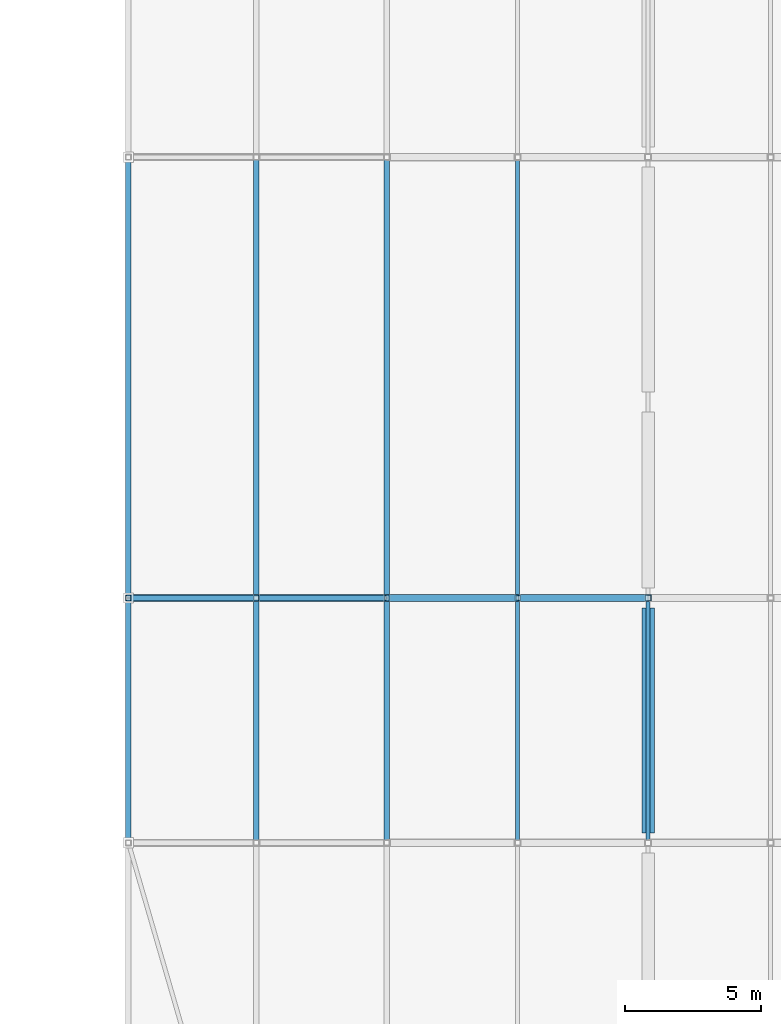
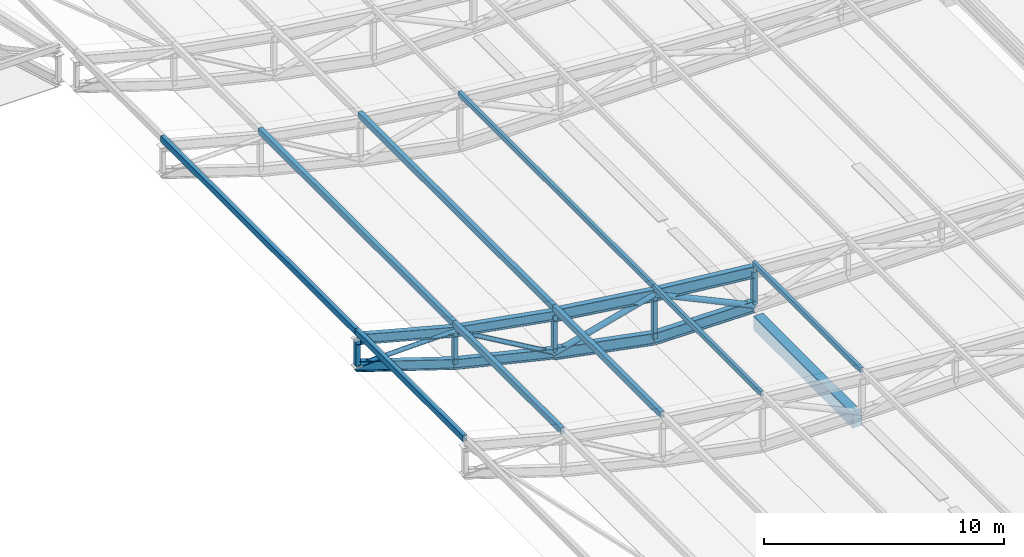
# One storey, part 56 of 114: 18 members, 9 beams.
"""IFC4 building model written with IfcOpenShell, lengths in metres."""

from ifc_helpers import new_model, si_unit, direction, frame, origin, origin_2d, place, context, subcontext, project, spatial, rectangle, hollow_rectangle, hollow_circle, i_section, extrude, material, material_profile, profile_set, type_object, element, save


model = new_model("IFC4")

# Units and contexts
model_context = context("Model", 3, precision=1e-05, world=origin(), true_north=direction((0.0, 1.0)))
body_context = subcontext(model_context, "Body", "Model", "MODEL_VIEW")
ifc_project = project(units=[si_unit("LENGTHUNIT", "METRE"), si_unit("AREAUNIT", "SQUARE_METRE"), si_unit("VOLUMEUNIT", "CUBIC_METRE"), si_unit("PLANEANGLEUNIT", "RADIAN"), si_unit("MASSUNIT", "GRAM", prefix="KILO"), si_unit("THERMODYNAMICTEMPERATUREUNIT", "KELVIN"), si_unit("POWERUNIT", "WATT")], contexts=[model_context])

# Site, building, storey
site_placement = place(None, origin())
site = spatial("IfcSite", under=ifc_project, at=site_placement, CompositionType="ELEMENT")
building_placement = place(site_placement, origin())
building = spatial("IfcBuilding", under=site, at=building_placement, Name="Sindhuravela Promenade Stadium", CompositionType="ELEMENT")
storey_placement = place(building_placement, frame((0.0, 0.0, 24.0)))
storey = spatial("IfcBuildingStorey", under=building, at=storey_placement, Name="L05", CompositionType="ELEMENT", Elevation=24.0)

# Beams
ifc_material_1 = material(Name="Concrete M40", Category="concrete")
ifc_material_profile_1 = material_profile(ifc_material_1, rectangle(XDim=0.449951171875, YDim=0.699951171875, at=origin_2d()), Name="RC 450x700")
ifc_profile_set_1 = profile_set([ifc_material_profile_1], Name="Concrete M40")
beam_type_1 = type_object("IfcBeamType", Name="RC-BM-450x700", PredefinedType="BEAM", material=ifc_profile_set_1)
beam_1_placement = place(storey_placement, frame((180.0, 84.965087890625, -0.594970703125), z_axis=(0.0, 1.0, 0.0), x_axis=(-1.0, 0.0, 0.0)))
element("IfcBeam", 1, at=beam_1_placement, inside=storey, type_object=beam_type_1, Name="Primary beam GB07 EAST L05", PredefinedType="BEAM", context=body_context, shape_type="SweptSolid", body=[
    extrude(rectangle(XDim=0.449951171875, YDim=0.699951171875, at=origin_2d()), origin(), (0.0, 0.0, 1.0), 8.27001953125),
])
ifc_material_2 = material(Name="Steel E350 (IS 2062 E350BR)", Category="steel")
ifc_material_profile_2 = material_profile(ifc_material_2, i_section(OverallWidth=0.25, OverallDepth=0.5, WebThickness=0.010009765625, FlangeThickness=0.0146484375, FilletRadius=0.014892578125, at=origin_2d()), Name="ISWB 500")
ifc_profile_set_2 = profile_set([ifc_material_profile_2], Name="Steel E350 (IS 2062 E350BR)")
beam_type_2 = type_object("IfcBeamType", Name="ST-BM-WB500", PredefinedType="USERDEFINED", material=ifc_profile_set_2)
beam_2_placement = place(storey_placement, frame((170.39990234375, 93.60009765625, 2.889892578125), z_axis=(-0.9842948598662152, 0.0, 0.17653223173388988), x_axis=(0.0, -1.0, 0.0)))
element("IfcBeam", 2, at=beam_2_placement, inside=storey, type_object=beam_type_2, Name="Roof truss RT-E06 top chord 7", ObjectType="ROOF TRUSS", PredefinedType="USERDEFINED", context=body_context, shape_type="SweptSolid", body=[
    extrude(i_section(OverallWidth=0.25, OverallDepth=0.5, WebThickness=0.010009765625, FlangeThickness=0.0146484375, FilletRadius=0.014892578125, at=origin_2d()), origin(), (0.0, 0.0, 1.0), 4.87646484375),
])
beam_3_placement = place(storey_placement, frame((170.39990234375, 93.60009765625, 0.955322265625), z_axis=(-0.9727610703429832, 0.0, 0.23181005160513105), x_axis=(0.0, -1.0, 0.0)))
element("IfcBeam", 3, at=beam_3_placement, inside=storey, type_object=beam_type_2, Name="Roof truss RT-E06 bottom chord 7", ObjectType="ROOF TRUSS", PredefinedType="USERDEFINED", context=body_context, shape_type="SweptSolid", body=[
    extrude(i_section(OverallWidth=0.25, OverallDepth=0.5, WebThickness=0.010009765625, FlangeThickness=0.0146484375, FilletRadius=0.014892578125, at=origin_2d()), origin(), (0.0, 0.0, 1.0), 4.934326171875),
])
beam_4_placement = place(storey_placement, frame((165.60009765625, 93.60009765625, 3.750732421875), z_axis=(-0.9664454134987205, 0.0, 0.2568720746349965), x_axis=(0.0, -1.0, 0.0)))
element("IfcBeam", 4, at=beam_4_placement, inside=storey, type_object=beam_type_2, Name="Roof truss RT-E06 top chord 8", ObjectType="ROOF TRUSS", PredefinedType="USERDEFINED", context=body_context, shape_type="SweptSolid", body=[
    extrude(i_section(OverallWidth=0.25, OverallDepth=0.5, WebThickness=0.010009765625, FlangeThickness=0.0146484375, FilletRadius=0.014892578125, at=origin_2d()), origin(), (0.0, 0.0, 1.0), 4.86328125),
])
beam_5_placement = place(storey_placement, frame((165.60009765625, 93.60009765625, 2.09912109375), z_axis=(-0.951134224020653, 0.0, 0.3087777321903741), x_axis=(0.0, -1.0, 0.0)))
element("IfcBeam", 5, at=beam_5_placement, inside=storey, type_object=beam_type_2, Name="Roof truss RT-E06 bottom chord 8", ObjectType="ROOF TRUSS", PredefinedType="USERDEFINED", context=body_context, shape_type="SweptSolid", body=[
    extrude(i_section(OverallWidth=0.25, OverallDepth=0.5, WebThickness=0.010009765625, FlangeThickness=0.0146484375, FilletRadius=0.014892578125, at=origin_2d()), origin(), (0.0, 0.0, 1.0), 4.941650390625),
])
ifc_material_profile_3 = material_profile(ifc_material_2, i_section(OverallWidth=0.25, OverallDepth=0.60009765625, WebThickness=0.01171875, FlangeThickness=0.023681640625, FilletRadius=0.01708984375, at=origin_2d()), Name="ISWB 600")
ifc_profile_set_3 = profile_set([ifc_material_profile_3], Name="Steel E350 (IS 2062 E350BR)")
beam_type_3 = type_object("IfcBeamType", Name="ST-BM-WB600", PredefinedType="USERDEFINED", material=ifc_profile_set_3)
beam_6_placement = place(storey_placement, frame((180.0, 93.60009765625, 1.7578125), z_axis=(-0.9947943351162852, 0.0, 0.10190304617894301), x_axis=(0.0, -1.0, 0.0)))
element("IfcBeam", 6, at=beam_6_placement, inside=storey, type_object=beam_type_3, Name="Roof truss RT-E06 top chord 5", ObjectType="ROOF TRUSS", PredefinedType="USERDEFINED", context=body_context, shape_type="SweptSolid", body=[
    extrude(i_section(OverallWidth=0.25, OverallDepth=0.60009765625, WebThickness=0.01171875, FlangeThickness=0.023681640625, FilletRadius=0.01708984375, at=origin_2d()), origin(), (0.0, 0.0, 1.0), 4.8251953125),
])
beam_7_placement = place(storey_placement, frame((180.0, 93.60009765625, 0.0), z_axis=(-0.9999778033758007, 0.0, 0.006662788883690041), x_axis=(0.0, -1.0, 0.0)))
element("IfcBeam", 7, at=beam_7_placement, inside=storey, type_object=beam_type_3, Name="Roof truss RT-E06 bottom chord 5", ObjectType="ROOF TRUSS", PredefinedType="USERDEFINED", context=body_context, shape_type="SweptSolid", body=[
    extrude(i_section(OverallWidth=0.25, OverallDepth=0.60009765625, WebThickness=0.01171875, FlangeThickness=0.023681640625, FilletRadius=0.01708984375, at=origin_2d()), origin(), (0.0, 0.0, 1.0), 4.800048828125),
])
beam_8_placement = place(storey_placement, frame((175.199951171875, 93.60009765625, 2.24951171875), z_axis=(-0.9912177706556925, 0.0, 0.1322396730802035), x_axis=(0.0, -1.0, 0.0)))
element("IfcBeam", 8, at=beam_8_placement, inside=storey, type_object=beam_type_3, Name="Roof truss RT-E06 top chord 6", ObjectType="ROOF TRUSS", PredefinedType="USERDEFINED", context=body_context, shape_type="SweptSolid", body=[
    extrude(i_section(OverallWidth=0.25, OverallDepth=0.60009765625, WebThickness=0.01171875, FlangeThickness=0.023681640625, FilletRadius=0.01708984375, at=origin_2d()), origin(), (0.0, 0.0, 1.0), 4.842529296875),
])
beam_9_placement = place(storey_placement, frame((175.199951171875, 93.60009765625, 0.031982421875), z_axis=(-0.9819968269215247, 0.0, 0.18889741108881575), x_axis=(0.0, -1.0, 0.0)))
element("IfcBeam", 9, at=beam_9_placement, inside=storey, type_object=beam_type_3, Name="Roof truss RT-E06 bottom chord 6", ObjectType="ROOF TRUSS", PredefinedType="USERDEFINED", context=body_context, shape_type="SweptSolid", body=[
    extrude(i_section(OverallWidth=0.25, OverallDepth=0.60009765625, WebThickness=0.01171875, FlangeThickness=0.023681640625, FilletRadius=0.01708984375, at=origin_2d()), origin(), (0.0, 0.0, 1.0), 4.887939453125),
])

# Members
ifc_material_profile_4 = material_profile(ifc_material_2, hollow_circle(Radius=0.109619140625, WallThickness=0.010009765625, at=origin_2d()), Name="CHS 219.1x10")
ifc_profile_set_4 = profile_set([ifc_material_profile_4], Name="Steel E350 (IS 2062 E350BR)")
member_type_1 = type_object("IfcMemberType", Name="ST-MB-CHS219", PredefinedType="BRACE", material=ifc_profile_set_4)
member_1_placement = place(storey_placement, frame((170.39990234375, 93.60009765625, 0.955322265625), z_axis=(-0.8641294101630913, 0.0, 0.5032696717379143), x_axis=(0.0, -1.0, 0.0)))
element("IfcMember", 10, at=member_1_placement, inside=storey, type_object=member_type_1, Name="Roof truss RT-E06 diagonal web 7", PredefinedType="BRACE", context=body_context, shape_type="SweptSolid", body=[
    extrude(hollow_circle(Radius=0.109619140625, WallThickness=0.010009765625, at=origin_2d()), origin(), (0.0, 0.0, 1.0), 5.554443359375),
])
member_2_placement = place(storey_placement, frame((165.60009765625, 93.60009765625, 3.750732421875), z_axis=(-0.9996423981548164, 0.0, -0.02674090146736601), x_axis=(0.0, -1.0, 0.0)))
element("IfcMember", 11, at=member_2_placement, inside=storey, type_object=member_type_1, Name="Roof truss RT-E06 diagonal web 8", PredefinedType="BRACE", context=body_context, shape_type="SweptSolid", body=[
    extrude(hollow_circle(Radius=0.109619140625, WallThickness=0.010009765625, at=origin_2d()), origin(), (0.0, 0.0, 1.0), 4.701904296875),
])
ifc_material_profile_5 = material_profile(ifc_material_2, hollow_circle(Radius=0.136474609375, WallThickness=0.010009765625, at=origin_2d()), Name="CHS 273.0x10")
ifc_profile_set_5 = profile_set([ifc_material_profile_5], Name="Steel E350 (IS 2062 E350BR)")
member_type_2 = type_object("IfcMemberType", Name="ST-MB-CHS273", PredefinedType="BRACE", material=ifc_profile_set_5)
member_3_placement = place(storey_placement, frame((180.0, 93.60009765625, 0.0), z_axis=(-0.9054959907272458, 0.0, 0.4243548170775059), x_axis=(0.0, -1.0, 0.0)))
element("IfcMember", 12, at=member_3_placement, inside=storey, type_object=member_type_2, Name="Roof truss RT-E06 diagonal web 5", PredefinedType="BRACE", context=body_context, shape_type="SweptSolid", body=[
    extrude(hollow_circle(Radius=0.136474609375, WallThickness=0.010009765625, at=origin_2d()), origin(), (0.0, 0.0, 1.0), 5.301025390625),
])
member_4_placement = place(storey_placement, frame((175.199951171875, 93.60009765625, 2.24951171875), z_axis=(-0.9655213389510635, 0.0, -0.26032392135596294), x_axis=(0.0, -1.0, 0.0)))
element("IfcMember", 13, at=member_4_placement, inside=storey, type_object=member_type_2, Name="Roof truss RT-E06 diagonal web 6", PredefinedType="BRACE", context=body_context, shape_type="SweptSolid", body=[
    extrude(hollow_circle(Radius=0.136474609375, WallThickness=0.010009765625, at=origin_2d()), origin(), (0.0, 0.0, 1.0), 4.971435546875),
])
ifc_material_profile_6 = material_profile(ifc_material_2, hollow_rectangle(XDim=0.14990234375, YDim=0.25, WallThickness=0.010009765625, at=origin_2d()), Name="RHS 250x150x10")
ifc_profile_set_6 = profile_set([ifc_material_profile_6], Name="Steel E350 (IS 2062 E350BR)")
member_type_3 = type_object("IfcMemberType", Name="ST-MB-RHS250", PredefinedType="PURLIN", material=ifc_profile_set_6)
for number, where, z_axis, x_axis, name in (
    (14, (180.0, 84.60009765625, 2.14990234375), (0.0, 1.0, 0.0), (-1.0, 0.0, 0.0), "Roof purlin PR01 E bay 5.5"),
    (15, (175.199951171875, 84.60009765625, 2.641357421875), (0.0, 1.0, 0.0), (-1.0, 0.0, 0.0), "Roof purlin PR01 E bay 5.6"),
):
    element("IfcMember", number, at=place(storey_placement, frame(where, z_axis=z_axis, x_axis=x_axis)), inside=storey, type_object=member_type_3, Name=name, PredefinedType="PURLIN", context=body_context, shape_type="SweptSolid", body=[
        extrude(hollow_rectangle(XDim=0.14990234375, YDim=0.25, WallThickness=0.010009765625, at=origin_2d()), origin(), (0.0, 0.0, 1.0), 9.0),
    ])
member_5_placement = place(storey_placement, frame((175.199951171875, 93.60009765625, 2.641357421875), z_axis=(0.0, 1.0, 0.0), x_axis=(-1.0, 0.0, 0.0)))
element("IfcMember", 16, at=member_5_placement, inside=storey, type_object=member_type_3, Name="Roof purlin PR01 E bay 6.6", PredefinedType="PURLIN", context=body_context, shape_type="SweptSolid", body=[
    extrude(hollow_rectangle(XDim=0.14990234375, YDim=0.25, WallThickness=0.010009765625, at=origin_2d()), origin(), (0.0, 0.0, 1.0), 16.199951171875),
])
ifc_material_profile_7 = material_profile(ifc_material_2, hollow_rectangle(XDim=0.199951171875, YDim=0.300048828125, WallThickness=0.010009765625, at=origin_2d()), Name="RHS 300x200x10")
ifc_profile_set_7 = profile_set([ifc_material_profile_7], Name="Steel E350 (IS 2062 E350BR)")
member_type_4 = type_object("IfcMemberType", Name="ST-MB-RHS300", PredefinedType="PURLIN", material=ifc_profile_set_7)
for number, where, z_axis, x_axis, name in (
    (17, (170.39990234375, 84.60009765625, 3.2568359375), (0.0, 1.0, 0.0), (-1.0, 0.0, 0.0), "Roof purlin PR02 E bay 5.7"),
    (18, (165.60009765625, 84.60009765625, 4.117919921875), (0.0, 1.0, 0.0), (-1.0, 0.0, 0.0), "Roof purlin PR02 E bay 5.8"),
    (19, (160.89990234375, 84.60009765625, 5.366943359375), (0.0, 1.0, 0.0), (-1.0, 0.0, 0.0), "Roof purlin PR02 E bay 5.9"),
):
    element("IfcMember", number, at=place(storey_placement, frame(where, z_axis=z_axis, x_axis=x_axis)), inside=storey, type_object=member_type_4, Name=name, PredefinedType="PURLIN", context=body_context, shape_type="SweptSolid", body=[
        extrude(hollow_rectangle(XDim=0.199951171875, YDim=0.300048828125, WallThickness=0.010009765625, at=origin_2d()), origin(), (0.0, 0.0, 1.0), 9.0),
    ])
for number, where, z_axis, x_axis, name in (
    (20, (170.39990234375, 93.60009765625, 3.2568359375), (0.0, 1.0, 0.0), (-1.0, 0.0, 0.0), "Roof purlin PR02 E bay 6.7"),
    (21, (165.60009765625, 93.60009765625, 4.117919921875), (0.0, 1.0, 0.0), (-1.0, 0.0, 0.0), "Roof purlin PR02 E bay 6.8"),
    (22, (160.89990234375, 93.60009765625, 5.366943359375), (0.0, 1.0, 0.0), (-1.0, 0.0, 0.0), "Roof purlin PR02 E bay 6.9"),
):
    element("IfcMember", number, at=place(storey_placement, frame(where, z_axis=z_axis, x_axis=x_axis)), inside=storey, type_object=member_type_4, Name=name, PredefinedType="PURLIN", context=body_context, shape_type="SweptSolid", body=[
        extrude(hollow_rectangle(XDim=0.199951171875, YDim=0.300048828125, WallThickness=0.010009765625, at=origin_2d()), origin(), (0.0, 0.0, 1.0), 16.199951171875),
    ])
ifc_material_profile_8 = material_profile(ifc_material_2, hollow_rectangle(XDim=0.199951171875, YDim=0.199951171875, WallThickness=0.010009765625, at=origin_2d()), Name="SHS 200x200x10")
ifc_profile_set_8 = profile_set([ifc_material_profile_8], Name="Steel E350 (IS 2062 E350BR)")
member_type_5 = type_object("IfcMemberType", Name="ST-MB-SHS200", PredefinedType="POST", material=ifc_profile_set_8)
member_6_placement = place(storey_placement, frame((175.199951171875, 93.60009765625, 0.031982421875), z_axis=(0.0, 0.0, 1.0), x_axis=(1.0, 0.0, 0.0)))
element("IfcMember", 23, at=member_6_placement, inside=storey, type_object=member_type_5, Name="Roof truss RT-E06 vertical post 6", PredefinedType="POST", context=body_context, shape_type="SweptSolid", body=[
    extrude(hollow_rectangle(XDim=0.199951171875, YDim=0.199951171875, WallThickness=0.010009765625, at=origin_2d()), origin(), (0.0, 0.0, 1.0), 2.217529296875),
])
member_7_placement = place(storey_placement, frame((170.39990234375, 93.60009765625, 0.955322265625), z_axis=(0.0, 0.0, 1.0), x_axis=(1.0, 0.0, 0.0)))
element("IfcMember", 24, at=member_7_placement, inside=storey, type_object=member_type_5, Name="Roof truss RT-E06 vertical post 7", PredefinedType="POST", context=body_context, shape_type="SweptSolid", body=[
    extrude(hollow_rectangle(XDim=0.199951171875, YDim=0.199951171875, WallThickness=0.010009765625, at=origin_2d()), origin(), (0.0, 0.0, 1.0), 1.9345703125),
])
member_8_placement = place(storey_placement, frame((165.60009765625, 93.60009765625, 2.09912109375), z_axis=(0.0, 0.0, 1.0), x_axis=(1.0, 0.0, 0.0)))
element("IfcMember", 25, at=member_8_placement, inside=storey, type_object=member_type_5, Name="Roof truss RT-E06 vertical post 8", PredefinedType="POST", context=body_context, shape_type="SweptSolid", body=[
    extrude(hollow_rectangle(XDim=0.199951171875, YDim=0.199951171875, WallThickness=0.010009765625, at=origin_2d()), origin(), (0.0, 0.0, 1.0), 1.651611328125),
])
member_9_placement = place(storey_placement, frame((160.89990234375, 93.60009765625, 3.625), z_axis=(0.0, 0.0, 1.0), x_axis=(1.0, 0.0, 0.0)))
element("IfcMember", 26, at=member_9_placement, inside=storey, type_object=member_type_5, Name="Roof truss RT-E06 vertical post 9", PredefinedType="POST", context=body_context, shape_type="SweptSolid", body=[
    extrude(hollow_rectangle(XDim=0.199951171875, YDim=0.199951171875, WallThickness=0.010009765625, at=origin_2d()), origin(), (0.0, 0.0, 1.0), 1.375),
])
ifc_material_profile_9 = material_profile(ifc_material_2, hollow_rectangle(XDim=0.219970703125, YDim=0.219970703125, WallThickness=0.011962890625, at=origin_2d()), Name="SHS 220x220x12")
ifc_profile_set_9 = profile_set([ifc_material_profile_9], Name="Steel E350 (IS 2062 E350BR)")
member_type_6 = type_object("IfcMemberType", Name="ST-MB-SHS220", PredefinedType="POST", material=ifc_profile_set_9)
member_10_placement = place(storey_placement, frame((180.0, 93.60009765625, 0.0), z_axis=(0.0, 0.0, 1.0), x_axis=(1.0, 0.0, 0.0)))
element("IfcMember", 27, at=member_10_placement, inside=storey, type_object=member_type_6, Name="Roof truss RT-E06 vertical post 5", PredefinedType="POST", context=body_context, shape_type="SweptSolid", body=[
    extrude(hollow_rectangle(XDim=0.219970703125, YDim=0.219970703125, WallThickness=0.011962890625, at=origin_2d()), origin(), (0.0, 0.0, 1.0), 1.7578125),
])

save(model, "model.ifc")
